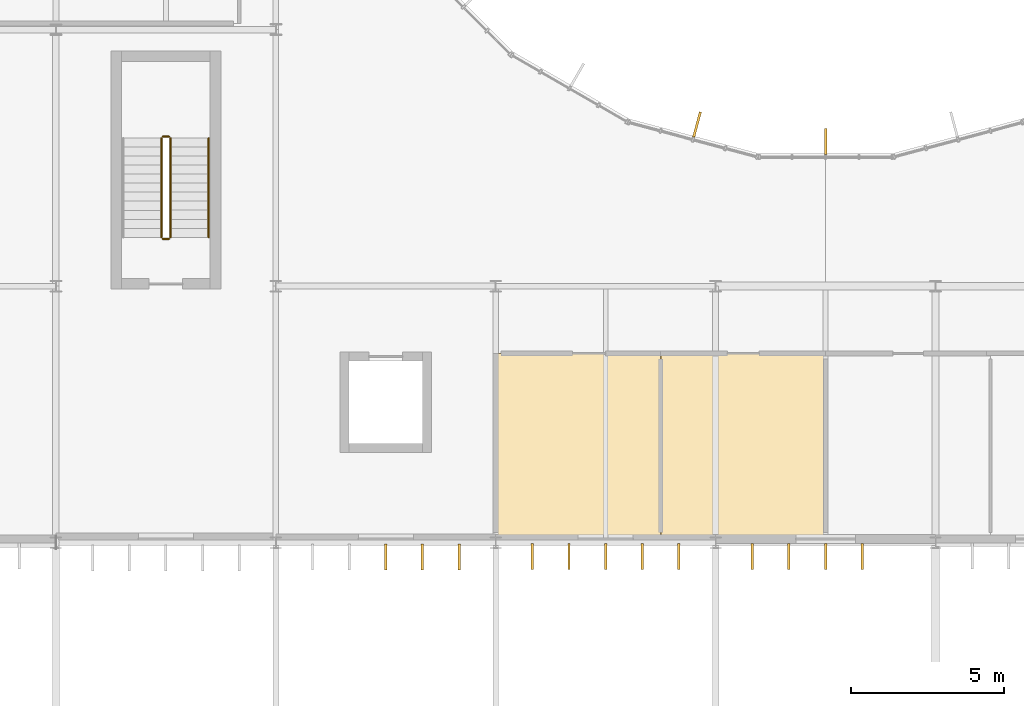
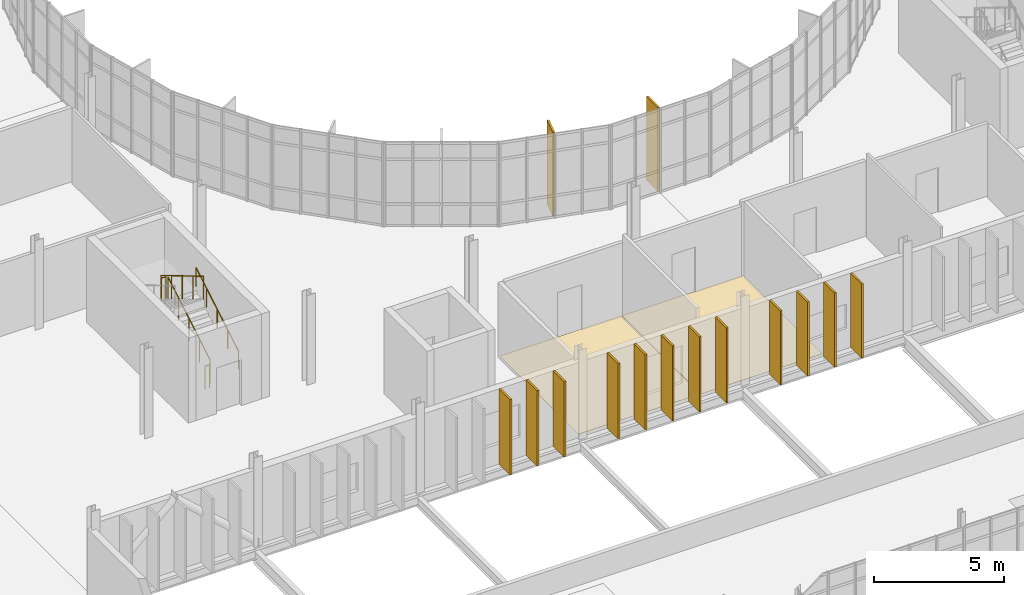
# One storey, part 107 of 119: 14 shading devices, 5 railings, 2 coverings.
"""IFC4 building model written with IfcOpenShell, lengths in metres."""

from ifc_helpers import new_model, si_unit, direction, frame, origin, origin_2d, place, context, subcontext, project, spatial, polyline, rectangle, circle, outline, extrude, material, layer, layer_set, type_object, element, save


model = new_model("IFC4")

# Units and contexts
model_context = context("Model", 3, precision=1e-05, world=origin(), true_north=direction((0.0, 1.0)))
body_context = subcontext(model_context, "Body", "Model", "MODEL_VIEW")
ifc_project = project(units=[si_unit("LENGTHUNIT", "METRE"), si_unit("AREAUNIT", "SQUARE_METRE"), si_unit("VOLUMEUNIT", "CUBIC_METRE"), si_unit("PLANEANGLEUNIT", "RADIAN"), si_unit("MASSUNIT", "GRAM", prefix="KILO")], contexts=[model_context])

# Site, building, storey
site_placement = place(None, origin())
site = spatial("IfcSite", under=ifc_project, at=site_placement, CompositionType="ELEMENT")
building_placement = place(site_placement, origin())
building = spatial("IfcBuilding", under=site, at=building_placement, Name="Qelthora Terrace Specialist Clinic", CompositionType="ELEMENT")
storey_placement = place(building_placement, frame((0.0, 0.0, 4.800048828125)))
storey = spatial("IfcBuildingStorey", under=building, at=storey_placement, Name="L01", CompositionType="ELEMENT", Elevation=4.800048828125)

# Coverings
ifc_material_1 = material(Name="Antimicrobial clinical linoleum flooring", Category="other")
ifc_layer = layer(ifc_material_1, 0.011962890625)
ifc_layer_set = layer_set([ifc_layer], Name="Antimicrobial clinical linoleum flooring")
covering_type = type_object("IfcCoveringType", Name="COV-FLR-LINO-12", PredefinedType="FLOORING", material=ifc_layer_set)
covering_1_placement = place(storey_placement, origin())
element("IfcCovering", 1, at=covering_1_placement, inside=storey, type_object=covering_type, Name="Cardiology Consulting Room L01-31 resilient linoleum flooring", PredefinedType="FLOORING", context=body_context, shape_type="SweptSolid", body=[
    extrude(outline(polyline([(115.199951171875, 33.75), (115.199951171875, 39.800048828125), (120.60009765625, 39.800048828125), (120.60009765625, 33.75), (115.199951171875, 33.75)])), origin(), (0.0, 0.0, 1.0), 0.011962890625),
])
covering_2_placement = place(storey_placement, origin())
element("IfcCovering", 2, at=covering_2_placement, inside=storey, type_object=covering_type, Name="Cardiac Stress Testing Lab L01-33 resilient linoleum flooring", PredefinedType="FLOORING", context=body_context, shape_type="SweptSolid", body=[
    extrude(outline(polyline([(120.60498046875, 39.800048828125), (126.0, 39.800048828125), (126.0, 33.72998046875), (120.60498046875, 33.72998046875), (120.60498046875, 39.800048828125)])), origin(), (0.0, 0.0, 1.0), 0.011962890625),
])

# Railings
ifc_material_2 = material(Name="Steel S355", Category="steel")
railing_type_1 = type_object("IfcRailingType", Name="RAL-GD-1100-S355", PredefinedType="GUARDRAIL", material=ifc_material_2)
railing_1_placement = place(storey_placement, frame((104.550048828125, 43.60009765625, 0.175048828125)))
element("IfcRailing", 3, at=railing_1_placement, inside=storey, type_object=railing_type_1, Name="L01 ST-05 stair guard 1", PredefinedType="GUARDRAIL", context=body_context, shape_type="SweptSolid", body=[
    extrude(circle(Radius=0.02392578125, at=origin_2d()), frame((0.0, 0.0, 1.076171875), z_axis=(0.0, 0.860068610471, 0.510178385746), x_axis=(-1.0, 0.0, 0.0)), (0.0, 0.0, 1.0), 3.772705078125),
    extrude(circle(Radius=0.02099609375, at=origin_2d()), origin(), (0.0, 0.0, 1.0), 1.052001953125),
    extrude(circle(Radius=0.02099609375, at=origin_2d()), frame((0.0, 0.811279296875, 0.481201171875)), (0.0, 0.0, 1.0), 1.052001953125),
    extrude(circle(Radius=0.02099609375, at=origin_2d()), frame((0.0, 1.62255859375, 0.96240234375)), (0.0, 0.0, 1.0), 1.052001953125),
    extrude(circle(Radius=0.02099609375, at=origin_2d()), frame((0.0, 2.43359375, 1.443603515625)), (0.0, 0.0, 1.0), 1.052001953125),
    extrude(circle(Radius=0.02099609375, at=origin_2d()), frame((0.0, 3.244873046875, 1.9248046875)), (0.0, 0.0, 1.0), 1.052001953125),
])
railing_2_placement = place(storey_placement, frame((104.5, 46.89501953125, 2.099853515625)))
element("IfcRailing", 4, at=railing_2_placement, inside=storey, type_object=railing_type_1, Name="L01 ST-05 stair guard 2", PredefinedType="GUARDRAIL", context=body_context, shape_type="SweptSolid", body=[
    extrude(circle(Radius=0.02392578125, at=origin_2d()), frame((0.0, 0.0, 1.076171875), z_axis=(-1.0, 0.0, 0.0), x_axis=(0.0, -1.0, 0.0)), (0.0, 0.0, 1.0), 0.199951171875),
    extrude(circle(Radius=0.02099609375, at=origin_2d()), origin(), (0.0, 0.0, 1.0), 1.052001953125),
    extrude(circle(Radius=0.02099609375, at=origin_2d()), frame((-0.199951171875, 0.0, 0.0)), (0.0, 0.0, 1.0), 1.052001953125),
])
railing_3_placement = place(storey_placement, frame((104.25, 46.844970703125, 2.27490234375)))
element("IfcRailing", 5, at=railing_3_placement, inside=storey, type_object=railing_type_1, Name="L01 ST-05 stair guard 3", PredefinedType="GUARDRAIL", context=body_context, shape_type="SweptSolid", body=[
    extrude(circle(Radius=0.02392578125, at=origin_2d()), frame((0.0, 0.0, 1.076171875), z_axis=(0.0, -0.860040215814, 0.510226250974), x_axis=(1.0, 0.0, 0.0)), (0.0, 0.0, 1.0), 3.77294921875),
    extrude(circle(Radius=0.02099609375, at=origin_2d()), origin(), (0.0, 0.0, 1.0), 1.052001953125),
    extrude(circle(Radius=0.02099609375, at=origin_2d()), frame((0.0, -0.811279296875, 0.481201171875)), (0.0, 0.0, 1.0), 1.052001953125),
    extrude(circle(Radius=0.02099609375, at=origin_2d()), frame((0.0, -1.62255859375, 0.96240234375)), (0.0, 0.0, 1.0), 1.052001953125),
    extrude(circle(Radius=0.02099609375, at=origin_2d()), frame((0.0, -2.43359375, 1.44384765625)), (0.0, 0.0, 1.0), 1.052001953125),
    extrude(circle(Radius=0.02099609375, at=origin_2d()), frame((0.0, -3.244873046875, 1.925048828125)), (0.0, 0.0, 1.0), 1.052001953125),
])
railing_4_placement = place(storey_placement, frame((104.5, 43.550048828125, 0.0)))
element("IfcRailing", 6, at=railing_4_placement, inside=storey, type_object=railing_type_1, Name="L01 ST-05 stair guard 4", PredefinedType="GUARDRAIL", context=body_context, shape_type="SweptSolid", body=[
    extrude(circle(Radius=0.02392578125, at=origin_2d()), frame((0.0, 0.0, 1.076171875), z_axis=(-1.0, 0.0, 0.0), x_axis=(0.0, -1.0, 0.0)), (0.0, 0.0, 1.0), 0.199951171875),
    extrude(circle(Radius=0.02099609375, at=origin_2d()), origin(), (0.0, 0.0, 1.0), 1.052001953125),
    extrude(circle(Radius=0.02099609375, at=origin_2d()), frame((-0.199951171875, 0.0, 0.0)), (0.0, 0.0, 1.0), 1.052001953125),
])
railing_type_2 = type_object("IfcRailingType", Name="RAL-HR-900-S355", PredefinedType="HANDRAIL", material=ifc_material_2)
railing_5_placement = place(storey_placement, frame((105.800048828125, 43.60009765625, 0.367919921875)))
element("IfcRailing", 7, at=railing_5_placement, inside=storey, type_object=railing_type_2, Name="L01 ST-05 stair handrail 1", PredefinedType="HANDRAIL", context=body_context, shape_type="SweptSolid", body=[
    extrude(circle(Radius=0.02392578125, at=origin_2d()), frame((0.0, 0.0, 0.8759765625), z_axis=(0.0, 0.860040215814, 0.510226250974), x_axis=(-1.0, 0.0, 0.0)), (0.0, 0.0, 1.0), 3.77294921875),
    extrude(circle(Radius=0.02099609375, at=origin_2d()), origin(), (0.0, 0.0, 1.0), 0.851806640625),
    extrude(circle(Radius=0.02099609375, at=origin_2d()), frame((0.0, 0.811279296875, 0.481201171875)), (0.0, 0.0, 1.0), 0.851806640625),
    extrude(circle(Radius=0.02099609375, at=origin_2d()), frame((0.0, 1.62255859375, 0.96240234375)), (0.0, 0.0, 1.0), 0.851806640625),
    extrude(circle(Radius=0.02099609375, at=origin_2d()), frame((0.0, 2.43359375, 1.44384765625)), (0.0, 0.0, 1.0), 0.851806640625),
    extrude(circle(Radius=0.02099609375, at=origin_2d()), frame((0.0, 3.244873046875, 1.925048828125)), (0.0, 0.0, 1.0), 0.851806640625),
])

# Shading devices
ifc_material_3 = material(Name="Glulam timber GL28h", Category="wood")
shading_device_type = type_object("IfcShadingDeviceType", Name="SHD-FIN-850", PredefinedType="USERDEFINED", material=ifc_material_3)
for number, where, z_axis, x_axis, name in (
    (8, (121.791259765625, 47.292724609375, 0.0), (0.0, 0.0, 1.0), (0.258819045103, 0.965925826289, 0.0), "Court solar fin FIN-0039"),
    (9, (126.0, 46.73876953125, 0.0), (0.0, 0.0, 1.0), (0.0, 1.0, 0.0), "Court solar fin FIN-0040"),
):
    element("IfcShadingDevice", number, at=place(storey_placement, frame(where, z_axis=z_axis, x_axis=x_axis)), inside=storey, type_object=shading_device_type, Name=name, ObjectType="FIN", PredefinedType="USERDEFINED", context=body_context, shape_type="SweptSolid", body=[
        extrude(rectangle(XDim=0.85009765625, YDim=0.080078125, at=origin_2d()), origin(), (0.0, 0.0, 1.0), 3.945068359375),
    ])
for number, where, z_axis, x_axis, name in (
    (10, (111.60009765625, 33.135009765625, 0.0), (0.0, 0.0, 1.0), (0.0, -1.0, 0.0), "Exterior solar shading fin FIN-0942"),
    (11, (112.800048828125, 33.135009765625, 0.0), (0.0, 0.0, 1.0), (0.0, -1.0, 0.0), "Exterior solar shading fin FIN-0943"),
    (12, (114.0, 33.135009765625, 0.0), (0.0, 0.0, 1.0), (0.0, -1.0, 0.0), "Exterior solar shading fin FIN-0944"),
    (13, (116.39990234375, 33.14501953125, 0.0), (0.0, 0.0, 1.0), (0.0, -1.0, 0.0), "Exterior solar shading fin FIN-0945"),
    (14, (117.60009765625, 33.14501953125, 0.0), (0.0, 0.0, 1.0), (0.0, -1.0, 0.0), "Exterior solar shading fin FIN-0946"),
    (15, (118.800048828125, 33.14501953125, 0.0), (0.0, 0.0, 1.0), (0.0, -1.0, 0.0), "Exterior solar shading fin FIN-0947"),
    (16, (120.0, 33.14501953125, 0.0), (0.0, 0.0, 1.0), (0.0, -1.0, 0.0), "Exterior solar shading fin FIN-0948"),
    (17, (121.199951171875, 33.14501953125, 0.0), (0.0, 0.0, 1.0), (0.0, -1.0, 0.0), "Exterior solar shading fin FIN-0949"),
):
    element("IfcShadingDevice", number, at=place(storey_placement, frame(where, z_axis=z_axis, x_axis=x_axis)), inside=storey, type_object=shading_device_type, Name=name, ObjectType="FIN", PredefinedType="USERDEFINED", context=body_context, shape_type="SweptSolid", body=[
        extrude(rectangle(XDim=0.85009765625, YDim=0.080078125, at=origin_2d()), origin(), (0.0, 0.0, 1.0), 3.529052734375),
    ])
for number, where, z_axis, x_axis, name in (
    (18, (123.60009765625, 33.155029296875, 0.0), (0.0, 0.0, 1.0), (0.0, -1.0, 0.0), "Exterior solar shading fin FIN-0950"),
    (19, (124.800048828125, 33.155029296875, 0.0), (0.0, 0.0, 1.0), (0.0, -1.0, 0.0), "Exterior solar shading fin FIN-0951"),
    (20, (126.0, 33.155029296875, 0.0), (0.0, 0.0, 1.0), (0.0, -1.0, 0.0), "Exterior solar shading fin FIN-0952"),
    (21, (127.199951171875, 33.155029296875, 0.0), (0.0, 0.0, 1.0), (0.0, -1.0, 0.0), "Exterior solar shading fin FIN-0953"),
):
    element("IfcShadingDevice", number, at=place(storey_placement, frame(where, z_axis=z_axis, x_axis=x_axis)), inside=storey, type_object=shading_device_type, Name=name, ObjectType="FIN", PredefinedType="USERDEFINED", context=body_context, shape_type="SweptSolid", body=[
        extrude(rectangle(XDim=0.85009765625, YDim=0.080078125, at=origin_2d()), origin(), (0.0, 0.0, 1.0), 3.48193359375),
    ])

save(model, "model.ifc")
